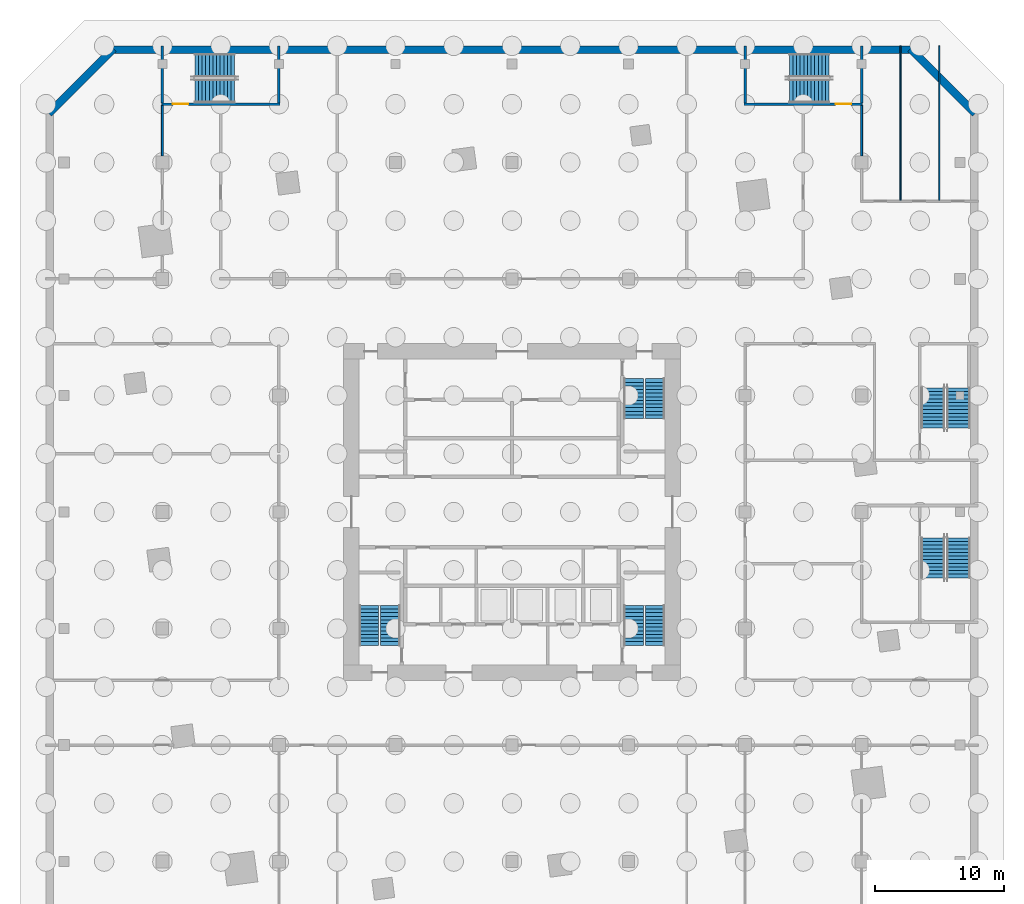
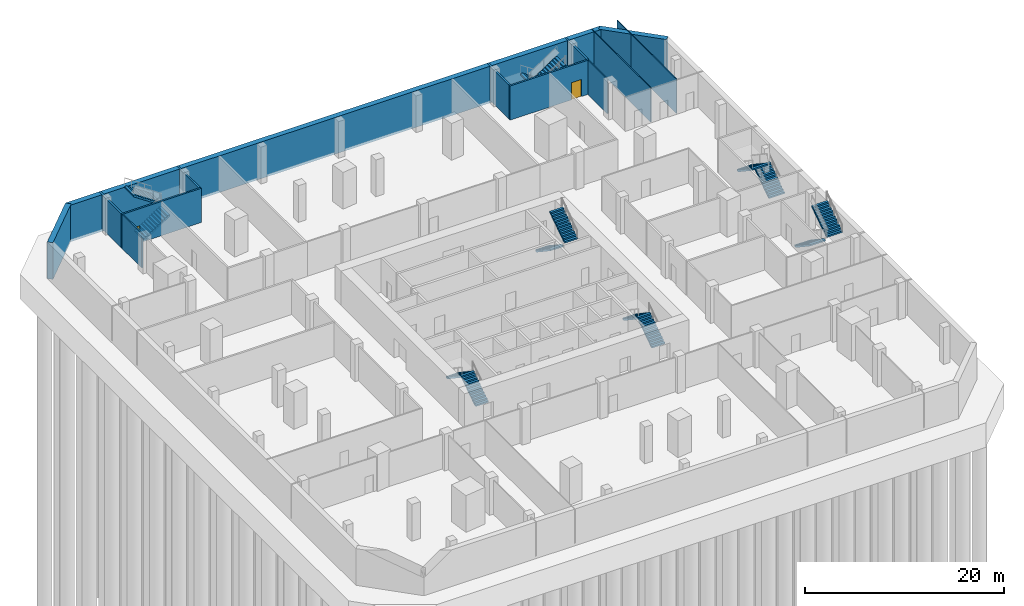
# One storey, part 7 of 12: 14 stair flights, 13 walls, 2 doors, 2 openings, 7 elements without a shape of their own.
"""IFC4 building model written with IfcOpenShell, lengths in metres."""

from ifc_helpers import new_model, si_unit, direction, frame, frame_2d, origin, place, context, subcontext, project, spatial, polyline, rectangle, outline, extrude, material, layer, layer_set, type_object, element, fill, aggregate, save


model = new_model("IFC4")

# Units and contexts
model_context = context("Model", 3, precision=1e-05, world=origin(), true_north=direction((0.0, 1.0)))
body_context = subcontext(model_context, "Body", "Model", "MODEL_VIEW")
ifc_project = project(units=[si_unit("LENGTHUNIT", "METRE"), si_unit("AREAUNIT", "SQUARE_METRE"), si_unit("VOLUMEUNIT", "CUBIC_METRE"), si_unit("PLANEANGLEUNIT", "RADIAN"), si_unit("MASSUNIT", "GRAM", prefix="KILO")], contexts=[model_context])

# Site, building, storey
site_placement = place(None, origin())
site = spatial("IfcSite", under=ifc_project, at=site_placement, CompositionType="ELEMENT")
building_placement = place(site_placement, origin())
building = spatial("IfcBuilding", under=site, at=building_placement, Name="Dilmun Exchange Tower", CompositionType="ELEMENT")
storey_placement = place(building_placement, frame((0.0, 0.0, -9.0)))
storey = spatial("IfcBuildingStorey", under=building, at=storey_placement, Name="B2", CompositionType="ELEMENT", Elevation=-9.0)

# Walls
ifc_material_1 = material(Name="Fire partition EI 60 150 gypsum")
ifc_layer_1 = layer(ifc_material_1, 0.14990234375)
ifc_layer_set_1 = layer_set([ifc_layer_1], Name="Fire partition EI 60 150 gypsum")
wall_type_1 = type_object("IfcWallType", Name="Fire partition EI 60 150 gypsum", PredefinedType="PARTITIONING", material=ifc_layer_set_1)
for number, where, z_axis, x_axis, name in (
    (1, (-27.0, 27.5, 0.0), (0.0, 0.0, 1.0), (0.0, 1.0, 0.0), "B2 partition"),
    (2, (27.0, 27.5, 0.0), (0.0, 0.0, 1.0), (0.0, 1.0, 0.0), "B2 partition"),
):
    element("IfcWall", number, at=place(storey_placement, frame(where, z_axis=z_axis, x_axis=x_axis)), inside=storey, type_object=wall_type_1, Name=name, PredefinedType="PARTITIONING", context=body_context, shape_type="SweptSolid", body=[
        extrude(rectangle(XDim=3.89990234375, YDim=0.14990234375, at=frame_2d((1.949951171875, 0.0))), origin(), (0.0, 0.0, 1.0), 4.199951171875),
    ])

# Wall, opening, door
ifc_material_2 = material(Name="Fire wall EI 120 200 blockwork", Category="masonry")
ifc_layer_2 = layer(ifc_material_2, 0.199951171875)
ifc_layer_set_2 = layer_set([ifc_layer_2], Name="Fire wall EI 120 200 blockwork")
wall_type_2 = type_object("IfcWallType", Name="Fire wall EI 120 200 blockwork", PredefinedType="PARTITIONING", material=ifc_layer_set_2)
wall_1_placement = place(storey_placement, frame((-27.074951171875, 31.5, 0.0), z_axis=(0.0, 0.0, 1.0), x_axis=(1.0, 0.0, 0.0)))
wall_1 = element("IfcWall", 3, at=wall_1_placement, inside=storey, type_object=wall_type_2, Name="B2 stair wall", PredefinedType="PARTITIONING", context=body_context, shape_type="SweptSolid", body=[
    extrude(rectangle(XDim=9.175048828125, YDim=0.199951171875, at=frame_2d((4.58740234375, 0.0))), origin(), (0.0, 0.0, 1.0), 4.199951171875),
])
opening_1_placement = place(wall_1_placement, frame((0.875, 0.0, 0.0)))
opening_1 = element("IfcOpeningElement", 4, at=opening_1_placement, cuts=wall_1, Name="Opening B2-D001", PredefinedType="OPENING", context=body_context, shape_type="SweptSolid", body=[
    extrude(rectangle(XDim=1.199951171875, YDim=2.10009765625, at=frame_2d((0.60009765625, 1.050048828125))), frame((0.0, 0.10986328125, 0.0), z_axis=(0.0, -1.0, 0.0), x_axis=(1.0, 0.0, 0.0)), (0.0, 0.0, 1.0), 0.219970703125),
])
ifc_material_3 = material(Name="Stair door FD90 1200 x 2100")
door_type = type_object("IfcDoorType", Name="Stair door FD90 1200 x 2100", OperationType="SINGLE_SWING_LEFT", PredefinedType="DOOR", material=ifc_material_3)
door_1_placement = place(opening_1_placement, origin())
door_1 = element("IfcDoor", 5, at=door_1_placement, inside=storey, type_object=door_type, Name="B2 door B2-D001", OperationType="SINGLE_SWING_LEFT", OverallHeight=2.10009765625, OverallWidth=1.199951171875, PredefinedType="DOOR", context=body_context, shape_type="SweptSolid", body=[
    extrude(rectangle(XDim=1.199951171875, YDim=2.10009765625, at=frame_2d((0.60009765625, 1.050048828125))), frame((0.0, 0.02490234375, 0.0), z_axis=(0.0, -1.0, 0.0), x_axis=(1.0, 0.0, 0.0)), (0.0, 0.0, 1.0), 0.050048828125),
])
fill(opening_1, door_1)

wall_2_placement = place(storey_placement, frame((17.89990234375, 31.5, 0.0), z_axis=(0.0, 0.0, 1.0), x_axis=(1.0, 0.0, 0.0)))
wall_2 = element("IfcWall", 6, at=wall_2_placement, inside=storey, type_object=wall_type_2, Name="B2 stair wall", PredefinedType="PARTITIONING", context=body_context, shape_type="SweptSolid", body=[
    extrude(rectangle(XDim=9.175048828125, YDim=0.199951171875, at=frame_2d((4.58740234375, 0.0))), origin(), (0.0, 0.0, 1.0), 4.199951171875),
])
opening_2_placement = place(wall_2_placement, frame((7.10009765625, 0.0, 0.0)))
opening_2 = element("IfcOpeningElement", 7, at=opening_2_placement, cuts=wall_2, Name="Opening B2-D002", PredefinedType="OPENING", context=body_context, shape_type="SweptSolid", body=[
    extrude(rectangle(XDim=1.199951171875, YDim=2.10009765625, at=frame_2d((0.60009765625, 1.050048828125))), frame((0.0, 0.10986328125, 0.0), z_axis=(0.0, -1.0, 0.0), x_axis=(1.0, 0.0, 0.0)), (0.0, 0.0, 1.0), 0.219970703125),
])
door_2_placement = place(opening_2_placement, origin())
door_2 = element("IfcDoor", 8, at=door_2_placement, inside=storey, type_object=door_type, Name="B2 door B2-D002", OperationType="SINGLE_SWING_RIGHT", OverallHeight=2.10009765625, OverallWidth=1.199951171875, PredefinedType="DOOR", context=body_context, shape_type="SweptSolid", body=[
    extrude(rectangle(XDim=1.199951171875, YDim=2.10009765625, at=frame_2d((0.60009765625, 1.050048828125))), frame((0.0, 0.02490234375, 0.0), z_axis=(0.0, -1.0, 0.0), x_axis=(1.0, 0.0, 0.0)), (0.0, 0.0, 1.0), 0.050048828125),
])
fill(opening_2, door_2)

# Walls
for number, where, z_axis, x_axis, name in (
    (9, (-27.0, 31.60009765625, 0.0), (0.0, 0.0, 1.0), (0.0, 1.0, 0.0), "B2 stair wall"),
    (10, (-18.0, 31.60009765625, 0.0), (0.0, 0.0, 1.0), (0.0, 1.0, 0.0), "B2 stair wall"),
    (11, (18.0, 31.60009765625, 0.0), (0.0, 0.0, 1.0), (0.0, 1.0, 0.0), "B2 stair wall"),
    (12, (27.0, 31.60009765625, 0.0), (0.0, 0.0, 1.0), (0.0, 1.0, 0.0), "B2 stair wall"),
):
    element("IfcWall", number, at=place(storey_placement, frame(where, z_axis=z_axis, x_axis=x_axis)), inside=storey, type_object=wall_type_2, Name=name, PredefinedType="PARTITIONING", context=body_context, shape_type="SweptSolid", body=[
        extrude(rectangle(XDim=4.39990234375, YDim=0.199951171875, at=frame_2d((2.199951171875, 0.0))), origin(), (0.0, 0.0, 1.0), 4.199951171875),
    ])
ifc_material_4 = material(Name="Partition 100 gypsum")
ifc_layer_3 = layer(ifc_material_4, 0.10009765625)
ifc_layer_set_3 = layer_set([ifc_layer_3], Name="Partition 100 gypsum")
wall_type_3 = type_object("IfcWallType", Name="Partition 100 gypsum", PredefinedType="PARTITIONING", material=ifc_layer_set_3)
for number, where, z_axis, x_axis, name in (
    (13, (30.0, 24.074951171875, 0.0), (0.0, 0.0, 1.0), (0.0, 1.0, 0.0), "B2 partition"),
    (14, (33.0, 24.074951171875, 0.0), (0.0, 0.0, 1.0), (0.0, 1.0, 0.0), "B2 partition"),
):
    element("IfcWall", number, at=place(storey_placement, frame(where, z_axis=z_axis, x_axis=x_axis)), inside=storey, type_object=wall_type_3, Name=name, PredefinedType="PARTITIONING", context=body_context, shape_type="SweptSolid", body=[
        extrude(rectangle(XDim=11.925048828125, YDim=0.10009765625, at=frame_2d((5.96240234375, 0.0))), origin(), (0.0, 0.0, 1.0), 4.199951171875),
    ])
ifc_material_5 = material(Name="Concrete C40/50", Category="concrete")
ifc_layer_4 = layer(ifc_material_5, 0.60009765625)
ifc_layer_set_4 = layer_set([ifc_layer_4], Name="Concrete C40/50")
wall_type_4 = type_object("IfcWallType", Name="RC basement wall 600", PredefinedType="SOLIDWALL", material=ifc_layer_set_4)
wall_3_placement = place(storey_placement, frame((35.787841796875, 30.787841796875, -0.300048828125), z_axis=(0.0, 0.0, 1.0), x_axis=(-0.707106781187, 0.707106781187, 0.0)))
element("IfcWall", 15, at=wall_3_placement, inside=storey, type_object=wall_type_4, Name="Basement retaining wall", PredefinedType="SOLIDWALL", context=body_context, shape_type="SweptSolid", body=[
    extrude(rectangle(XDim=7.071044921875, YDim=0.60009765625, at=frame_2d((3.53564453125, 0.0))), origin(), (0.0, 0.0, 1.0), 4.5),
])
wall_4_placement = place(storey_placement, frame((31.0, 35.699951171875, -0.300048828125), z_axis=(0.0, 0.0, 1.0), x_axis=(-1.0, 0.0, 0.0)))
element("IfcWall", 16, at=wall_4_placement, inside=storey, type_object=wall_type_4, Name="Basement retaining wall", PredefinedType="SOLIDWALL", context=body_context, shape_type="SweptSolid", body=[
    extrude(rectangle(XDim=62.0, YDim=0.60009765625, at=frame_2d((31.0, 0.0))), origin(), (0.0, 0.0, 1.0), 4.5),
])
wall_5_placement = place(storey_placement, frame((-30.787841796875, 35.787841796875, -0.300048828125), z_axis=(0.0, 0.0, 1.0), x_axis=(-0.707106781187, -0.707106781187, 0.0)))
element("IfcWall", 17, at=wall_5_placement, inside=storey, type_object=wall_type_4, Name="Basement retaining wall", PredefinedType="SOLIDWALL", context=body_context, shape_type="SweptSolid", body=[
    extrude(rectangle(XDim=7.071044921875, YDim=0.60009765625, at=frame_2d((3.53564453125, 0.0))), origin(), (0.0, 0.0, 1.0), 4.5),
])

# Stair, stair flights
stair_type_1 = type_object("IfcStairType", Name="Exit stair 1500 half-turn", PredefinedType="HALF_TURN_STAIR", material=ifc_material_5)
stair_1_placement = place(storey_placement, origin())
stair_1 = element("IfcStair", 18, at=stair_1_placement, inside=storey, type_object=stair_type_1, Name="B2 Protected exit stair ST1", PredefinedType="HALF_TURN_STAIR")
stair_flight_type_1 = type_object("IfcStairFlightType", Name="Exit stair flight 1500", PredefinedType="STRAIGHT", material=ifc_material_5)
stair_flight_1_placement = place(storey_placement, frame((9.39990234375, 10.300048828125, 0.0), z_axis=(0.0, 0.0, 1.0), x_axis=(0.0, -1.0, 0.0)))
stair_flight_1 = element("IfcStairFlight", 19, at=stair_flight_1_placement, type_object=stair_flight_type_1, Name="ST1 flight 1", NumberOfRisers=12, NumberOfTreads=11, PredefinedType="STRAIGHT", RiserHeight=0.1875, TreadLength=0.28, context=body_context, shape_type="SweptSolid", body=[
    extrude(outline(polyline([(0.0, 0.0), (0.0, 0.1875), (0.280029296875, 0.1875), (0.280029296875, 0.375), (0.56005859375, 0.375), (0.56005859375, 0.5625), (0.840087890625, 0.5625), (0.840087890625, 0.75), (1.1201171875, 0.75), (1.1201171875, 0.9375), (1.39990234375, 0.9375), (1.39990234375, 1.125), (1.679931640625, 1.125), (1.679931640625, 1.3125), (1.9599609375, 1.3125), (1.9599609375, 1.5), (2.239990234375, 1.5), (2.239990234375, 1.6875), (2.52001953125, 1.6875), (2.52001953125, 1.875), (2.800048828125, 1.875), (2.800048828125, 2.0625), (3.080078125, 2.0625), (3.080078125, 2.25), (3.080078125, 1.882080078125), (0.26953125, 0.0), (0.0, 0.0)])), frame((0.0, 0.75, 0.0), z_axis=(0.0, -1.0, 0.0), x_axis=(1.0, 0.0, 0.0)), (0.0, 0.0, 1.0), 1.5),
])
stair_flight_2_placement = place(storey_placement, frame((11.050048828125, 7.219970703125, 2.25), z_axis=(0.0, 0.0, 1.0), x_axis=(0.0, 1.0, 0.0)))
stair_flight_2 = element("IfcStairFlight", 20, at=stair_flight_2_placement, type_object=stair_flight_type_1, Name="ST1 flight 2", NumberOfRisers=12, NumberOfTreads=11, PredefinedType="STRAIGHT", RiserHeight=0.1875, TreadLength=0.28, context=body_context, shape_type="SweptSolid", body=[
    extrude(outline(polyline([(0.0, 0.0), (0.0, 0.1875), (0.280029296875, 0.1875), (0.280029296875, 0.375), (0.56005859375, 0.375), (0.56005859375, 0.5625), (0.840087890625, 0.5625), (0.840087890625, 0.75), (1.1201171875, 0.75), (1.1201171875, 0.9375), (1.39990234375, 0.9375), (1.39990234375, 1.125), (1.679931640625, 1.125), (1.679931640625, 1.3125), (1.9599609375, 1.3125), (1.9599609375, 1.5), (2.239990234375, 1.5), (2.239990234375, 1.6875), (2.52001953125, 1.6875), (2.52001953125, 1.875), (2.800048828125, 1.875), (2.800048828125, 2.0625), (3.080078125, 2.0625), (3.080078125, 2.25), (3.080078125, 1.882080078125), (0.26953125, 0.0), (0.0, 0.0)])), frame((0.0, 0.75, 0.0), z_axis=(0.0, -1.0, 0.0), x_axis=(1.0, 0.0, 0.0)), (0.0, 0.0, 1.0), 1.5),
])
aggregate(stair_1, [stair_flight_1, stair_flight_2])

stair_2_placement = place(storey_placement, origin())
stair_2 = element("IfcStair", 21, at=stair_2_placement, inside=storey, type_object=stair_type_1, Name="B2 Protected exit stair ST2", PredefinedType="HALF_TURN_STAIR")
stair_flight_3_placement = place(storey_placement, frame((-9.39990234375, -10.300048828125, 0.0), z_axis=(0.0, 0.0, 1.0), x_axis=(0.0, 1.0, 0.0)))
stair_flight_3 = element("IfcStairFlight", 22, at=stair_flight_3_placement, type_object=stair_flight_type_1, Name="ST2 flight 1", NumberOfRisers=12, NumberOfTreads=11, PredefinedType="STRAIGHT", RiserHeight=0.1875, TreadLength=0.28, context=body_context, shape_type="SweptSolid", body=[
    extrude(outline(polyline([(0.0, 0.0), (0.0, 0.1875), (0.280029296875, 0.1875), (0.280029296875, 0.375), (0.56005859375, 0.375), (0.56005859375, 0.5625), (0.840087890625, 0.5625), (0.840087890625, 0.75), (1.1201171875, 0.75), (1.1201171875, 0.9375), (1.39990234375, 0.9375), (1.39990234375, 1.125), (1.679931640625, 1.125), (1.679931640625, 1.3125), (1.9599609375, 1.3125), (1.9599609375, 1.5), (2.239990234375, 1.5), (2.239990234375, 1.6875), (2.52001953125, 1.6875), (2.52001953125, 1.875), (2.800048828125, 1.875), (2.800048828125, 2.0625), (3.080078125, 2.0625), (3.080078125, 2.25), (3.080078125, 1.882080078125), (0.26953125, 0.0), (0.0, 0.0)])), frame((0.0, 0.75, 0.0), z_axis=(0.0, -1.0, 0.0), x_axis=(1.0, 0.0, 0.0)), (0.0, 0.0, 1.0), 1.5),
])
stair_flight_4_placement = place(storey_placement, frame((-11.050048828125, -7.219970703125, 2.25), z_axis=(0.0, 0.0, 1.0), x_axis=(0.0, -1.0, 0.0)))
stair_flight_4 = element("IfcStairFlight", 23, at=stair_flight_4_placement, type_object=stair_flight_type_1, Name="ST2 flight 2", NumberOfRisers=12, NumberOfTreads=11, PredefinedType="STRAIGHT", RiserHeight=0.1875, TreadLength=0.28, context=body_context, shape_type="SweptSolid", body=[
    extrude(outline(polyline([(0.0, 0.0), (0.0, 0.1875), (0.280029296875, 0.1875), (0.280029296875, 0.375), (0.56005859375, 0.375), (0.56005859375, 0.5625), (0.840087890625, 0.5625), (0.840087890625, 0.75), (1.1201171875, 0.75), (1.1201171875, 0.9375), (1.39990234375, 0.9375), (1.39990234375, 1.125), (1.679931640625, 1.125), (1.679931640625, 1.3125), (1.9599609375, 1.3125), (1.9599609375, 1.5), (2.239990234375, 1.5), (2.239990234375, 1.6875), (2.52001953125, 1.6875), (2.52001953125, 1.875), (2.800048828125, 1.875), (2.800048828125, 2.0625), (3.080078125, 2.0625), (3.080078125, 2.25), (3.080078125, 1.882080078125), (0.26953125, 0.0), (0.0, 0.0)])), frame((0.0, 0.75, 0.0), z_axis=(0.0, -1.0, 0.0), x_axis=(1.0, 0.0, 0.0)), (0.0, 0.0, 1.0), 1.5),
])
aggregate(stair_2, [stair_flight_3, stair_flight_4])

stair_3_placement = place(storey_placement, origin())
stair_3 = element("IfcStair", 24, at=stair_3_placement, inside=storey, type_object=stair_type_1, Name="B2 Protected exit stair ST3", PredefinedType="HALF_TURN_STAIR")
stair_flight_5_placement = place(storey_placement, frame((11.050048828125, -10.300048828125, 0.0), z_axis=(0.0, 0.0, 1.0), x_axis=(0.0, 1.0, 0.0)))
stair_flight_5 = element("IfcStairFlight", 25, at=stair_flight_5_placement, type_object=stair_flight_type_1, Name="ST3 flight 1", NumberOfRisers=12, NumberOfTreads=11, PredefinedType="STRAIGHT", RiserHeight=0.1875, TreadLength=0.28, context=body_context, shape_type="SweptSolid", body=[
    extrude(outline(polyline([(0.0, 0.0), (0.0, 0.1875), (0.280029296875, 0.1875), (0.280029296875, 0.375), (0.56005859375, 0.375), (0.56005859375, 0.5625), (0.840087890625, 0.5625), (0.840087890625, 0.75), (1.1201171875, 0.75), (1.1201171875, 0.9375), (1.39990234375, 0.9375), (1.39990234375, 1.125), (1.679931640625, 1.125), (1.679931640625, 1.3125), (1.9599609375, 1.3125), (1.9599609375, 1.5), (2.239990234375, 1.5), (2.239990234375, 1.6875), (2.52001953125, 1.6875), (2.52001953125, 1.875), (2.800048828125, 1.875), (2.800048828125, 2.0625), (3.080078125, 2.0625), (3.080078125, 2.25), (3.080078125, 1.882080078125), (0.26953125, 0.0), (0.0, 0.0)])), frame((0.0, 0.75, 0.0), z_axis=(0.0, -1.0, 0.0), x_axis=(1.0, 0.0, 0.0)), (0.0, 0.0, 1.0), 1.5),
])
stair_flight_6_placement = place(storey_placement, frame((9.39990234375, -7.219970703125, 2.25), z_axis=(0.0, 0.0, 1.0), x_axis=(0.0, -1.0, 0.0)))
stair_flight_6 = element("IfcStairFlight", 26, at=stair_flight_6_placement, type_object=stair_flight_type_1, Name="ST3 flight 2", NumberOfRisers=12, NumberOfTreads=11, PredefinedType="STRAIGHT", RiserHeight=0.1875, TreadLength=0.28, context=body_context, shape_type="SweptSolid", body=[
    extrude(outline(polyline([(0.0, 0.0), (0.0, 0.1875), (0.280029296875, 0.1875), (0.280029296875, 0.375), (0.56005859375, 0.375), (0.56005859375, 0.5625), (0.840087890625, 0.5625), (0.840087890625, 0.75), (1.1201171875, 0.75), (1.1201171875, 0.9375), (1.39990234375, 0.9375), (1.39990234375, 1.125), (1.679931640625, 1.125), (1.679931640625, 1.3125), (1.9599609375, 1.3125), (1.9599609375, 1.5), (2.239990234375, 1.5), (2.239990234375, 1.6875), (2.52001953125, 1.6875), (2.52001953125, 1.875), (2.800048828125, 1.875), (2.800048828125, 2.0625), (3.080078125, 2.0625), (3.080078125, 2.25), (3.080078125, 1.882080078125), (0.26953125, 0.0), (0.0, 0.0)])), frame((0.0, 0.75, 0.0), z_axis=(0.0, -1.0, 0.0), x_axis=(1.0, 0.0, 0.0)), (0.0, 0.0, 1.0), 1.5),
])
aggregate(stair_3, [stair_flight_5, stair_flight_6])

stair_type_2 = type_object("IfcStairType", Name="Podium exit stair 1500", PredefinedType="HALF_TURN_STAIR", material=ifc_material_5)
stair_4_placement = place(storey_placement, origin())
stair_4 = element("IfcStair", 27, at=stair_4_placement, inside=storey, type_object=stair_type_2, Name="B2 Podium exit stair PS1", PredefinedType="HALF_TURN_STAIR")
stair_flight_type_2 = type_object("IfcStairFlightType", Name="Podium stair flight 1500", PredefinedType="STRAIGHT", material=ifc_material_5)
stair_flight_7_placement = place(storey_placement, frame((-24.5, 32.511962890625, 0.0), z_axis=(0.0, 0.0, 1.0), x_axis=(1.0, 0.0, 0.0)))
stair_flight_7 = element("IfcStairFlight", 28, at=stair_flight_7_placement, type_object=stair_flight_type_2, Name="PS1 flight 1", NumberOfRisers=12, NumberOfTreads=11, PredefinedType="STRAIGHT", RiserHeight=0.1875, TreadLength=0.28, context=body_context, shape_type="SweptSolid", body=[
    extrude(outline(polyline([(0.0, 0.0), (0.0, 0.1875), (0.280029296875, 0.1875), (0.280029296875, 0.375), (0.56005859375, 0.375), (0.56005859375, 0.5625), (0.840087890625, 0.5625), (0.840087890625, 0.75), (1.1201171875, 0.75), (1.1201171875, 0.9375), (1.39990234375, 0.9375), (1.39990234375, 1.125), (1.679931640625, 1.125), (1.679931640625, 1.3125), (1.9599609375, 1.3125), (1.9599609375, 1.5), (2.239990234375, 1.5), (2.239990234375, 1.6875), (2.52001953125, 1.6875), (2.52001953125, 1.875), (2.800048828125, 1.875), (2.800048828125, 2.0625), (3.080078125, 2.0625), (3.080078125, 2.25), (3.080078125, 1.882080078125), (0.26953125, 0.0), (0.0, 0.0)])), frame((0.0, 0.912109375, 0.0), z_axis=(0.0, -1.0, 0.0), x_axis=(1.0, 0.0, 0.0)), (0.0, 0.0, 1.0), 1.823974609375),
])
stair_flight_8_placement = place(storey_placement, frame((-21.419921875, 34.486083984375, 2.25), z_axis=(0.0, 0.0, 1.0), x_axis=(-1.0, 0.0, 0.0)))
stair_flight_8 = element("IfcStairFlight", 29, at=stair_flight_8_placement, type_object=stair_flight_type_2, Name="PS1 flight 2", NumberOfRisers=12, NumberOfTreads=11, PredefinedType="STRAIGHT", RiserHeight=0.1875, TreadLength=0.28, context=body_context, shape_type="SweptSolid", body=[
    extrude(outline(polyline([(0.0, 0.0), (0.0, 0.1875), (0.280029296875, 0.1875), (0.280029296875, 0.375), (0.56005859375, 0.375), (0.56005859375, 0.5625), (0.840087890625, 0.5625), (0.840087890625, 0.75), (1.1201171875, 0.75), (1.1201171875, 0.9375), (1.39990234375, 0.9375), (1.39990234375, 1.125), (1.679931640625, 1.125), (1.679931640625, 1.3125), (1.9599609375, 1.3125), (1.9599609375, 1.5), (2.239990234375, 1.5), (2.239990234375, 1.6875), (2.52001953125, 1.6875), (2.52001953125, 1.875), (2.800048828125, 1.875), (2.800048828125, 2.0625), (3.080078125, 2.0625), (3.080078125, 2.25), (3.080078125, 1.882080078125), (0.26953125, 0.0), (0.0, 0.0)])), frame((0.0, 0.912109375, 0.0), z_axis=(0.0, -1.0, 0.0), x_axis=(1.0, 0.0, 0.0)), (0.0, 0.0, 1.0), 1.823974609375),
])
aggregate(stair_4, [stair_flight_7, stair_flight_8])

stair_5_placement = place(storey_placement, origin())
stair_5 = element("IfcStair", 30, at=stair_5_placement, inside=storey, type_object=stair_type_2, Name="B2 Podium exit stair PS2", PredefinedType="HALF_TURN_STAIR")
stair_flight_9_placement = place(storey_placement, frame((24.5, 34.486083984375, 0.0), z_axis=(0.0, 0.0, 1.0), x_axis=(-1.0, 0.0, 0.0)))
stair_flight_9 = element("IfcStairFlight", 31, at=stair_flight_9_placement, type_object=stair_flight_type_2, Name="PS2 flight 1", NumberOfRisers=12, NumberOfTreads=11, PredefinedType="STRAIGHT", RiserHeight=0.1875, TreadLength=0.28, context=body_context, shape_type="SweptSolid", body=[
    extrude(outline(polyline([(0.0, 0.0), (0.0, 0.1875), (0.280029296875, 0.1875), (0.280029296875, 0.375), (0.56005859375, 0.375), (0.56005859375, 0.5625), (0.840087890625, 0.5625), (0.840087890625, 0.75), (1.1201171875, 0.75), (1.1201171875, 0.9375), (1.39990234375, 0.9375), (1.39990234375, 1.125), (1.679931640625, 1.125), (1.679931640625, 1.3125), (1.9599609375, 1.3125), (1.9599609375, 1.5), (2.239990234375, 1.5), (2.239990234375, 1.6875), (2.52001953125, 1.6875), (2.52001953125, 1.875), (2.800048828125, 1.875), (2.800048828125, 2.0625), (3.080078125, 2.0625), (3.080078125, 2.25), (3.080078125, 1.882080078125), (0.26953125, 0.0), (0.0, 0.0)])), frame((0.0, 0.912109375, 0.0), z_axis=(0.0, -1.0, 0.0), x_axis=(1.0, 0.0, 0.0)), (0.0, 0.0, 1.0), 1.823974609375),
])
stair_flight_10_placement = place(storey_placement, frame((21.419921875, 32.511962890625, 2.25), z_axis=(0.0, 0.0, 1.0), x_axis=(1.0, 0.0, 0.0)))
stair_flight_10 = element("IfcStairFlight", 32, at=stair_flight_10_placement, type_object=stair_flight_type_2, Name="PS2 flight 2", NumberOfRisers=12, NumberOfTreads=11, PredefinedType="STRAIGHT", RiserHeight=0.1875, TreadLength=0.28, context=body_context, shape_type="SweptSolid", body=[
    extrude(outline(polyline([(0.0, 0.0), (0.0, 0.1875), (0.280029296875, 0.1875), (0.280029296875, 0.375), (0.56005859375, 0.375), (0.56005859375, 0.5625), (0.840087890625, 0.5625), (0.840087890625, 0.75), (1.1201171875, 0.75), (1.1201171875, 0.9375), (1.39990234375, 0.9375), (1.39990234375, 1.125), (1.679931640625, 1.125), (1.679931640625, 1.3125), (1.9599609375, 1.3125), (1.9599609375, 1.5), (2.239990234375, 1.5), (2.239990234375, 1.6875), (2.52001953125, 1.6875), (2.52001953125, 1.875), (2.800048828125, 1.875), (2.800048828125, 2.0625), (3.080078125, 2.0625), (3.080078125, 2.25), (3.080078125, 1.882080078125), (0.26953125, 0.0), (0.0, 0.0)])), frame((0.0, 0.912109375, 0.0), z_axis=(0.0, -1.0, 0.0), x_axis=(1.0, 0.0, 0.0)), (0.0, 0.0, 1.0), 1.823974609375),
])
aggregate(stair_5, [stair_flight_9, stair_flight_10])

stair_6_placement = place(storey_placement, origin())
stair_6 = element("IfcStair", 33, at=stair_6_placement, inside=storey, type_object=stair_type_2, Name="B2 Podium exit stair PS3", PredefinedType="HALF_TURN_STAIR")
stair_flight_11_placement = place(storey_placement, frame((32.511962890625, -2.0, 0.0), z_axis=(0.0, 0.0, 1.0), x_axis=(0.0, -1.0, 0.0)))
stair_flight_11 = element("IfcStairFlight", 34, at=stair_flight_11_placement, type_object=stair_flight_type_2, Name="PS3 flight 1", NumberOfRisers=12, NumberOfTreads=11, PredefinedType="STRAIGHT", RiserHeight=0.1875, TreadLength=0.28, context=body_context, shape_type="SweptSolid", body=[
    extrude(outline(polyline([(0.0, 0.0), (0.0, 0.1875), (0.280029296875, 0.1875), (0.280029296875, 0.375), (0.56005859375, 0.375), (0.56005859375, 0.5625), (0.840087890625, 0.5625), (0.840087890625, 0.75), (1.1201171875, 0.75), (1.1201171875, 0.9375), (1.39990234375, 0.9375), (1.39990234375, 1.125), (1.679931640625, 1.125), (1.679931640625, 1.3125), (1.9599609375, 1.3125), (1.9599609375, 1.5), (2.239990234375, 1.5), (2.239990234375, 1.6875), (2.52001953125, 1.6875), (2.52001953125, 1.875), (2.800048828125, 1.875), (2.800048828125, 2.0625), (3.080078125, 2.0625), (3.080078125, 2.25), (3.080078125, 1.882080078125), (0.26953125, 0.0), (0.0, 0.0)])), frame((0.0, 0.912109375, 0.0), z_axis=(0.0, -1.0, 0.0), x_axis=(1.0, 0.0, 0.0)), (0.0, 0.0, 1.0), 1.823974609375),
])
stair_flight_12_placement = place(storey_placement, frame((34.486083984375, -5.080078125, 2.25), z_axis=(0.0, 0.0, 1.0), x_axis=(0.0, 1.0, 0.0)))
stair_flight_12 = element("IfcStairFlight", 35, at=stair_flight_12_placement, type_object=stair_flight_type_2, Name="PS3 flight 2", NumberOfRisers=12, NumberOfTreads=11, PredefinedType="STRAIGHT", RiserHeight=0.1875, TreadLength=0.28, context=body_context, shape_type="SweptSolid", body=[
    extrude(outline(polyline([(0.0, 0.0), (0.0, 0.1875), (0.280029296875, 0.1875), (0.280029296875, 0.375), (0.56005859375, 0.375), (0.56005859375, 0.5625), (0.840087890625, 0.5625), (0.840087890625, 0.75), (1.1201171875, 0.75), (1.1201171875, 0.9375), (1.39990234375, 0.9375), (1.39990234375, 1.125), (1.679931640625, 1.125), (1.679931640625, 1.3125), (1.9599609375, 1.3125), (1.9599609375, 1.5), (2.239990234375, 1.5), (2.239990234375, 1.6875), (2.52001953125, 1.6875), (2.52001953125, 1.875), (2.800048828125, 1.875), (2.800048828125, 2.0625), (3.080078125, 2.0625), (3.080078125, 2.25), (3.080078125, 1.882080078125), (0.26953125, 0.0), (0.0, 0.0)])), frame((0.0, 0.912109375, 0.0), z_axis=(0.0, -1.0, 0.0), x_axis=(1.0, 0.0, 0.0)), (0.0, 0.0, 1.0), 1.823974609375),
])
aggregate(stair_6, [stair_flight_11, stair_flight_12])

stair_7_placement = place(storey_placement, origin())
stair_7 = element("IfcStair", 36, at=stair_7_placement, inside=storey, type_object=stair_type_2, Name="B2 Podium exit stair PS4", PredefinedType="HALF_TURN_STAIR")
stair_flight_13_placement = place(storey_placement, frame((34.486083984375, 6.5, 0.0), z_axis=(0.0, 0.0, 1.0), x_axis=(0.0, 1.0, 0.0)))
stair_flight_13 = element("IfcStairFlight", 37, at=stair_flight_13_placement, type_object=stair_flight_type_2, Name="PS4 flight 1", NumberOfRisers=12, NumberOfTreads=11, PredefinedType="STRAIGHT", RiserHeight=0.1875, TreadLength=0.28, context=body_context, shape_type="SweptSolid", body=[
    extrude(outline(polyline([(0.0, 0.0), (0.0, 0.1875), (0.280029296875, 0.1875), (0.280029296875, 0.375), (0.56005859375, 0.375), (0.56005859375, 0.5625), (0.840087890625, 0.5625), (0.840087890625, 0.75), (1.1201171875, 0.75), (1.1201171875, 0.9375), (1.39990234375, 0.9375), (1.39990234375, 1.125), (1.679931640625, 1.125), (1.679931640625, 1.3125), (1.9599609375, 1.3125), (1.9599609375, 1.5), (2.239990234375, 1.5), (2.239990234375, 1.6875), (2.52001953125, 1.6875), (2.52001953125, 1.875), (2.800048828125, 1.875), (2.800048828125, 2.0625), (3.080078125, 2.0625), (3.080078125, 2.25), (3.080078125, 1.882080078125), (0.26953125, 0.0), (0.0, 0.0)])), frame((0.0, 0.912109375, 0.0), z_axis=(0.0, -1.0, 0.0), x_axis=(1.0, 0.0, 0.0)), (0.0, 0.0, 1.0), 1.823974609375),
])
stair_flight_14_placement = place(storey_placement, frame((32.511962890625, 9.580078125, 2.25), z_axis=(0.0, 0.0, 1.0), x_axis=(0.0, -1.0, 0.0)))
stair_flight_14 = element("IfcStairFlight", 38, at=stair_flight_14_placement, type_object=stair_flight_type_2, Name="PS4 flight 2", NumberOfRisers=12, NumberOfTreads=11, PredefinedType="STRAIGHT", RiserHeight=0.1875, TreadLength=0.28, context=body_context, shape_type="SweptSolid", body=[
    extrude(outline(polyline([(0.0, 0.0), (0.0, 0.1875), (0.280029296875, 0.1875), (0.280029296875, 0.375), (0.56005859375, 0.375), (0.56005859375, 0.5625), (0.840087890625, 0.5625), (0.840087890625, 0.75), (1.1201171875, 0.75), (1.1201171875, 0.9375), (1.39990234375, 0.9375), (1.39990234375, 1.125), (1.679931640625, 1.125), (1.679931640625, 1.3125), (1.9599609375, 1.3125), (1.9599609375, 1.5), (2.239990234375, 1.5), (2.239990234375, 1.6875), (2.52001953125, 1.6875), (2.52001953125, 1.875), (2.800048828125, 1.875), (2.800048828125, 2.0625), (3.080078125, 2.0625), (3.080078125, 2.25), (3.080078125, 1.882080078125), (0.26953125, 0.0), (0.0, 0.0)])), frame((0.0, 0.912109375, 0.0), z_axis=(0.0, -1.0, 0.0), x_axis=(1.0, 0.0, 0.0)), (0.0, 0.0, 1.0), 1.823974609375),
])
aggregate(stair_7, [stair_flight_13, stair_flight_14])

save(model, "model.ifc")
